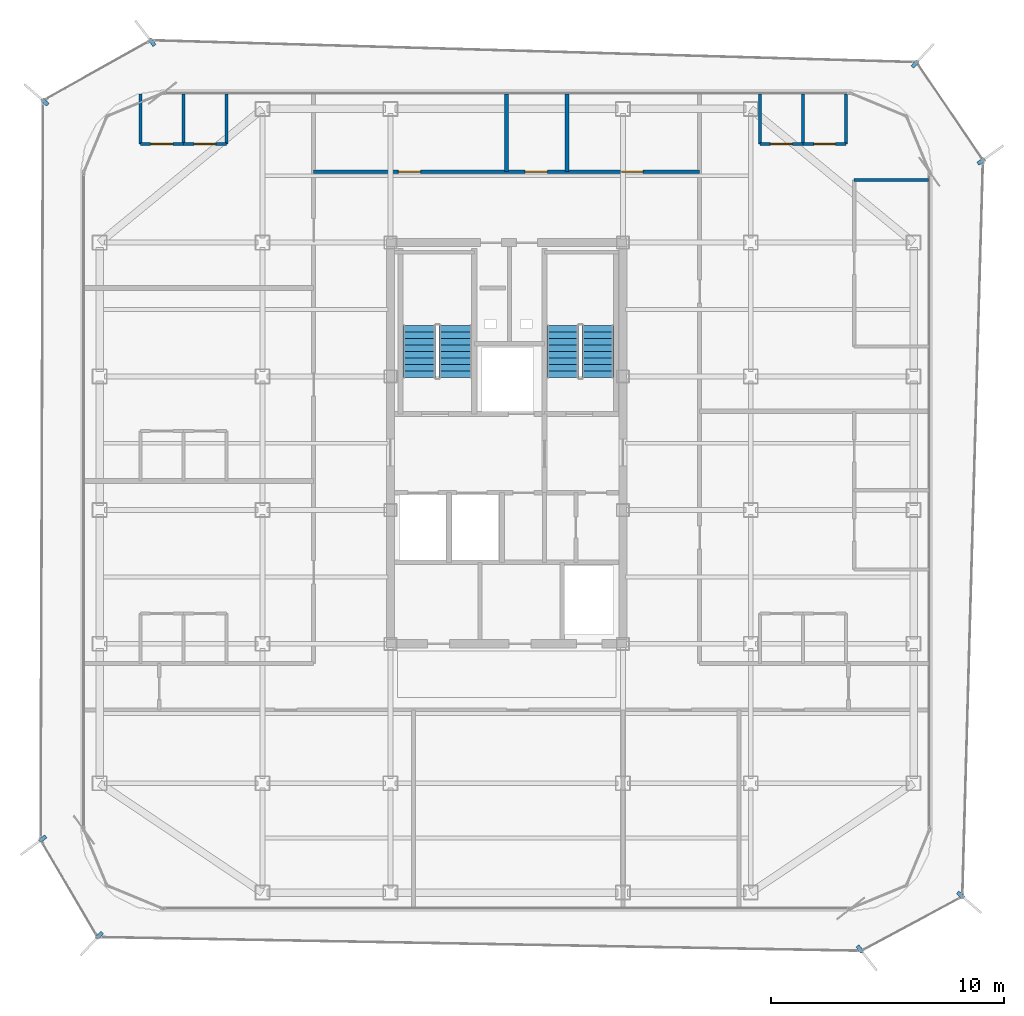
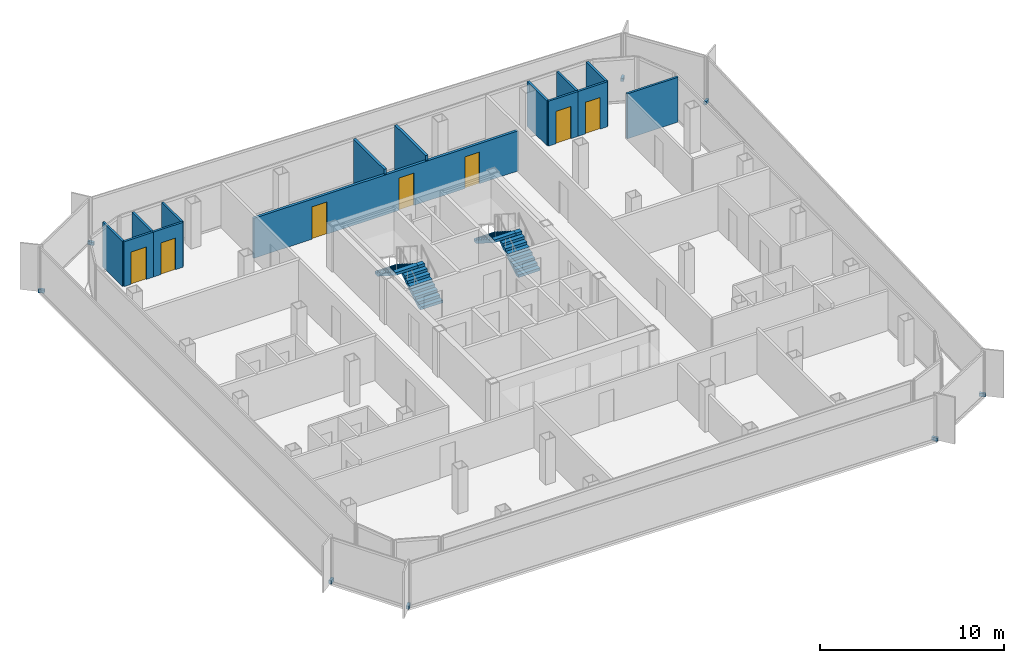
# One storey, part 12 of 14: 14 walls, 8 discrete accessories, 7 doors, 4 stair flights, 7 openings, 2 elements without a shape of their own.
"""IFC4 building model written with IfcOpenShell, lengths in metres."""

import ifcopenshell
import ifcopenshell.guid

model = None  # the IFC model being written
_history = None  # IfcOwnerHistory: only IFC2X3 demands one
_inside = {}  # id of a spatial element -> (the spatial element, [elements in it])
_under = {}  # id of a project, library or spatial element -> (it, [spatial elements below it])
_declared = {}  # id of a project -> (the project, [libraries it declares])
_typed = {}  # id of a type object -> (the type object, [elements of that type])
_made_of = {}  # id of a material, layer set ... -> (it, [elements and type objects made of it])


def new_model(schema):
    """Start an empty IFC model of exactly this schema.

    Asked for "IFC4X3", IfcOpenShell would pick the latest addendum, in which some entities
    have other attributes; the version numbers below select the first issue.
    IFC2X3 requires an IfcOwnerHistory on every rooted entity: one is made here for all.
    """
    global model, _history
    if schema == "IFC4X3":
        model = ifcopenshell.file(schema_version=(4, 3, 0, 0))
    else:
        model = ifcopenshell.file(schema=schema)
    _inside.clear()
    _under.clear()
    _declared.clear()
    _typed.clear()
    _made_of.clear()
    _history = None
    if model.schema == "IFC2X3":
        org = make("IfcOrganization", Name="unknown")
        user = make(
            "IfcPersonAndOrganization",
            ThePerson=make("IfcPerson", FamilyName="unknown"),
            TheOrganization=org,
        )
        app = make(
            "IfcApplication",
            ApplicationDeveloper=org,
            Version="unknown",
            ApplicationFullName="unknown",
            ApplicationIdentifier="unknown",
        )
        _history = make(
            "IfcOwnerHistory",
            OwningUser=user,
            OwningApplication=app,
            ChangeAction="ADDED",
            CreationDate=0,
        )
    return model


def make(cls, **values):
    """One entity of the class cls with the attributes given. An attribute that is None is left unset."""
    return model.create_entity(
        cls, **{name: value for name, value in values.items() if value is not None}
    )


def rooted(cls, **values):
    """An entity with a GlobalId (a new one), such as an element, a storey or a relation."""
    return make(cls, GlobalId=ifcopenshell.guid.new(), OwnerHistory=_history, **values)


def si_unit(unit_type, name, prefix=None):
    """IfcSIUnit, for example si_unit("LENGTHUNIT", "METRE", prefix="MILLI")."""
    return make("IfcSIUnit", UnitType=unit_type, Prefix=prefix, Name=name)


def assignment(units):
    """IfcUnitAssignment: the units of a project."""
    return None if units is None else make("IfcUnitAssignment", Units=units)


def point(xyz):
    """IfcCartesianPoint."""
    return None if xyz is None else make("IfcCartesianPoint", Coordinates=xyz)


def direction(xyz):
    """IfcDirection."""
    return None if xyz is None else make("IfcDirection", DirectionRatios=xyz)


def frame(location, z_axis=None, x_axis=None):
    """IfcAxis2Placement3D, a coordinate frame: its origin and axes. An axis left out is left unset."""
    return make(
        "IfcAxis2Placement3D",
        Location=point(location),
        Axis=direction(z_axis),
        RefDirection=direction(x_axis),
    )


def frame_2d(location, x_axis=None):
    """IfcAxis2Placement2D, a coordinate frame in the plane: its origin and x axis."""
    return make(
        "IfcAxis2Placement2D", Location=point(location), RefDirection=direction(x_axis)
    )


def origin():
    """The frame at (0, 0, 0) with its axes left unset."""
    return frame((0.0, 0.0, 0.0))


def origin_2d():
    """The frame at (0, 0) in the plane with its x axis left unset."""
    return frame_2d((0.0, 0.0))


def place(relative_to, where):
    """IfcLocalPlacement: puts the frame where relative to a parent placement (None: the world)."""
    return make(
        "IfcLocalPlacement", PlacementRelTo=relative_to, RelativePlacement=where
    )


def context(
    kind, dimensions, precision=None, world=None, true_north=None, identifier=None
):
    """IfcGeometricRepresentationContext, for example the 3D "Model" context."""
    return make(
        "IfcGeometricRepresentationContext",
        ContextIdentifier=identifier,
        ContextType=kind,
        CoordinateSpaceDimension=dimensions,
        Precision=precision,
        WorldCoordinateSystem=world,
        TrueNorth=true_north,
    )


def subcontext(parent, identifier, kind, view, scale=None):
    """IfcGeometricRepresentationSubContext, for example "Body" below "Model"."""
    return make(
        "IfcGeometricRepresentationSubContext",
        ContextIdentifier=identifier,
        ContextType=kind,
        ParentContext=parent,
        TargetScale=scale,
        TargetView=view,
    )


def project(units=None, contexts=None):
    """IfcProject with its units and contexts."""
    return rooted(
        "IfcProject",
        Name="project",
        RepresentationContexts=contexts,
        UnitsInContext=assignment(units),
    )


def spatial(cls, under=None, at=None, **own):
    """A site, building, storey or space (cls), placed at a placement, below another one or the project."""
    s = rooted(cls, ObjectPlacement=at, **own)
    if under is not None:
        _under.setdefault(under.id(), (under, []))[1].append(s)
    return s


def polyline(points):
    """IfcPolyline through the points."""
    return make("IfcPolyline", Points=[point(p) for p in points])


def profile(cls, at=None, kind="AREA", **sizes):
    """A parametric profile (cls). Its sizes go by their IFC names, for example OverallWidth=200.0."""
    return make(cls, ProfileType=kind, Position=at, **sizes)


def rectangle(**sizes):
    """IfcRectangleProfileDef."""
    return profile("IfcRectangleProfileDef", **sizes)


def outline(outer, holes=None, kind="AREA"):
    """IfcArbitraryClosedProfileDef: a profile drawn as a closed curve; with holes, ...WithVoids."""
    if holes is None:
        return make("IfcArbitraryClosedProfileDef", ProfileType=kind, OuterCurve=outer)
    return make(
        "IfcArbitraryProfileDefWithVoids",
        ProfileType=kind,
        OuterCurve=outer,
        InnerCurves=holes,
    )


def extrude(swept, where, along, depth):
    """IfcExtrudedAreaSolid: the profile swept, set in the frame where, extruded along a direction by depth."""
    return make(
        "IfcExtrudedAreaSolid",
        SweptArea=swept,
        Position=where,
        ExtrudedDirection=direction(along),
        Depth=depth,
    )


def shape(context_of_items, identifier, shape_type, items):
    """IfcShapeRepresentation: the items that make up one representation, for example the "Body"."""
    return make(
        "IfcShapeRepresentation",
        ContextOfItems=context_of_items,
        RepresentationIdentifier=identifier,
        RepresentationType=shape_type,
        Items=items,
    )


def source(mapping_origin, context_of_items, identifier, shape_type, items):
    """IfcRepresentationMap: a shape defined once, which mapped items show again and again."""
    return make(
        "IfcRepresentationMap",
        MappingOrigin=mapping_origin,
        MappedRepresentation=shape(context_of_items, identifier, shape_type, items),
    )


def transform(
    local_origin,
    x_axis=None,
    y_axis=None,
    z_axis=None,
    scale=None,
    scale2=None,
    scale3=None,
    uniform=True,
):
    """IfcCartesianTransformationOperator3D, or its non-uniform kind. x_axis, y_axis, z_axis: its Axis1, 2, 3."""
    if uniform:
        return make(
            "IfcCartesianTransformationOperator3D",
            Axis1=direction(x_axis),
            Axis2=direction(y_axis),
            LocalOrigin=point(local_origin),
            Scale=scale,
            Axis3=direction(z_axis),
        )
    return make(
        "IfcCartesianTransformationOperator3DnonUniform",
        Axis1=direction(x_axis),
        Axis2=direction(y_axis),
        LocalOrigin=point(local_origin),
        Scale=scale,
        Axis3=direction(z_axis),
        Scale2=scale2,
        Scale3=scale3,
    )


def mapped(mapping_source, mapping_target):
    """IfcMappedItem: shows the shape of a source again, moved by a transform."""
    return make(
        "IfcMappedItem", MappingSource=mapping_source, MappingTarget=mapping_target
    )


def material(Name=None, Category=None):
    """IfcMaterial."""
    return make("IfcMaterial", Name=Name, Category=Category)


def layer(
    of_material, thickness, ventilated=None, Name=None, Category=None, Priority=None
):
    """IfcMaterialLayer: one layer of a wall or slab, of a material (None: an air gap)."""
    return make(
        "IfcMaterialLayer",
        Material=of_material,
        LayerThickness=thickness,
        IsVentilated=ventilated,
        Name=Name,
        Category=Category,
        Priority=Priority,
    )


def layer_set(layers, Name=None):
    """IfcMaterialLayerSet."""
    return make("IfcMaterialLayerSet", MaterialLayers=layers, LayerSetName=Name)


def made_of(thing, what):
    """Note that an element or type object is made of a material, layer set ...; save() writes the relation."""
    if what is not None:
        _made_of.setdefault(what.id(), (what, []))[1].append(thing)
    return thing


def type_object(cls, material=None, **own):
    """A type object (cls), such as IfcWallType, which elements share."""
    return made_of(rooted(cls, **own), material)


def element(
    cls,
    number,
    at=None,
    inside=None,
    cuts=None,
    type_object=None,
    material=None,
    context=None,
    identifier="Body",
    shape_type=None,
    held_by="IfcProductDefinitionShape",
    body=None,
    shapes=None,
    **own,
):
    """One element of the class cls, such as IfcWall. Its Tag is "e" and its number.

    at: its placement. inside: the storey or other place that contains it. cuts: it is an
    opening in that element (IfcRelVoidsElement). A single representation is given by context,
    identifier, shape_type and body (its items); several are given by shapes. held_by: the class
    of the entity that holds the representations. save() writes the other relations.
    """
    e = rooted(cls, Tag="e%d" % number, ObjectPlacement=at, **own)
    if body is not None:
        shapes = [shape(context, identifier, shape_type, body)]
    if shapes is not None:
        e.Representation = make(held_by, Representations=shapes)
    if inside is not None:
        _inside.setdefault(inside.id(), (inside, []))[1].append(e)
    if cuts is not None:
        rooted(
            "IfcRelVoidsElement", RelatingBuildingElement=cuts, RelatedOpeningElement=e
        )
    if type_object is not None:
        _typed.setdefault(type_object.id(), (type_object, []))[1].append(e)
    return made_of(e, material)


def fill(opening, filler):
    """IfcRelFillsElement: the door or window that sits in an opening."""
    return rooted(
        "IfcRelFillsElement",
        RelatingOpeningElement=opening,
        RelatedBuildingElement=filler,
    )


def aggregate(whole, parts):
    """IfcRelAggregates: a whole, such as a stair, and the parts it consists of."""
    return rooted("IfcRelAggregates", RelatingObject=whole, RelatedObjects=parts)


def save(model, path):
    """Write the relations noted so far, then the file.

    IfcRelAggregates (storeys below a building ...), IfcRelContainedInSpatialStructure (elements
    in a storey), IfcRelDefinesByType, IfcRelAssociatesMaterial and IfcRelDeclares: one each for
    every whole, place, type object, material and project.
    """
    for whole, parts in _under.values():
        aggregate(whole, parts)
    for where, things in _inside.values():
        rooted(
            "IfcRelContainedInSpatialStructure",
            RelatedElements=things,
            RelatingStructure=where,
        )
    for kind, things in _typed.values():
        rooted("IfcRelDefinesByType", RelatedObjects=things, RelatingType=kind)
    for what, things in _made_of.values():
        rooted("IfcRelAssociatesMaterial", RelatedObjects=things, RelatingMaterial=what)
    for by, libraries in _declared.values():
        rooted("IfcRelDeclares", RelatingContext=by, RelatedDefinitions=libraries)
    model.write(path)


model = new_model("IFC4")

# Units and contexts
model_context = context("Model", 3, precision=1e-05, world=origin(), true_north=direction((0.0, 1.0)))
body_context = subcontext(model_context, "Body", "Model", "MODEL_VIEW")
ifc_project = project(units=[si_unit("LENGTHUNIT", "METRE"), si_unit("AREAUNIT", "SQUARE_METRE"), si_unit("VOLUMEUNIT", "CUBIC_METRE"), si_unit("PLANEANGLEUNIT", "RADIAN"), si_unit("MASSUNIT", "GRAM", prefix="KILO")], contexts=[model_context])

# Site, building, storey
site_placement = place(None, origin())
site = spatial("IfcSite", under=ifc_project, at=site_placement, CompositionType="ELEMENT")
building_placement = place(site_placement, origin())
building = spatial("IfcBuilding", under=site, at=building_placement, Name="Kolveth Station Tower", CompositionType="ELEMENT")
storey_placement = place(building_placement, frame((0.0, 0.0, 226.5)))
storey = spatial("IfcBuildingStorey", under=building, at=storey_placement, Name="L64", CompositionType="ELEMENT", Elevation=226.5)

# Wall, opening, door
ifc_material_1 = material(Name="Moisture-resistant gypsum partition")
ifc_layer_1 = layer(ifc_material_1, 0.135009765625)
ifc_layer_set_1 = layer_set([ifc_layer_1], Name="Moisture-resistant gypsum partition")
wall_type_1 = type_object("IfcWallType", Name="Wall_IW-135", PredefinedType="PARTITIONING", material=ifc_layer_set_1)
wall_1_placement = place(storey_placement, frame((7.75, 32.989990234375, 0.0), z_axis=(0.0, 0.0, 1.0), x_axis=(1.0, 0.0, 0.0)))
wall_1 = element("IfcWall", 1, at=wall_1_placement, inside=storey, type_object=wall_type_1, Name="L64 Partition Wall WL-L64-W3-IBHK", PredefinedType="PARTITIONING", context=body_context, shape_type="SweptSolid", body=[
    extrude(rectangle(XDim=1.85009765625, YDim=0.135009765625, at=frame_2d((0.925048828125, 0.0))), origin(), (0.0, 0.0, 1.0), 2.97998046875),
])
opening_1_placement = place(wall_1_placement, frame((0.445068359375, 0.0, 0.0)))
opening_1 = element("IfcOpeningElement", 2, at=opening_1_placement, cuts=wall_1, Name="Opening ID1", PredefinedType="OPENING", context=body_context, shape_type="SweptSolid", body=[
    extrude(rectangle(XDim=0.949951171875, YDim=2.14990234375, at=frame_2d((0.47509765625, 1.074951171875))), frame((0.0, 0.077392578125, 0.0), z_axis=(0.0, -1.0, 0.0), x_axis=(1.0, 0.0, 0.0)), (0.0, 0.0, 1.0), 0.155029296875),
])
ifc_material_2 = material(Name="Acoustic hardwood leaf and aluminium frame", Category="wood")
door_type_1 = type_object("IfcDoorType", Name="Door_ID1", OperationType="NOTDEFINED", PredefinedType="DOOR", material=ifc_material_2)
door_1_placement = place(opening_1_placement, frame((0.949951171875, 0.0, 0.0), z_axis=(0.0, 0.0, 1.0), x_axis=(-1.0, 0.0, 0.0)))
door_1 = element("IfcDoor", 3, at=door_1_placement, inside=storey, type_object=door_type_1, Name="Flat L64-W3 Kitchen Door", OperationType="SINGLE_SWING_LEFT", OverallHeight=2.14990234375, OverallWidth=0.949951171875, PredefinedType="DOOR", context=body_context, shape_type="SweptSolid", body=[
    extrude(rectangle(XDim=0.949951171875, YDim=2.14990234375, at=frame_2d((0.47509765625, 1.074951171875))), frame((0.0, 0.02490234375, 0.0), z_axis=(0.0, -1.0, 0.0), x_axis=(1.0, 0.0, 0.0)), (0.0, 0.0, 1.0), 0.050048828125),
])
fill(opening_1, door_1)

wall_2_placement = place(storey_placement, frame((9.60009765625, 32.989990234375, 0.0), z_axis=(0.0, 0.0, 1.0), x_axis=(1.0, 0.0, 0.0)))
wall_2 = element("IfcWall", 4, at=wall_2_placement, inside=storey, type_object=wall_type_1, Name="L64 Partition Wall WL-L64-W3-IBHB", PredefinedType="PARTITIONING", context=body_context, shape_type="SweptSolid", body=[
    extrude(rectangle(XDim=1.849853515625, YDim=0.135009765625, at=frame_2d((0.9248046875, 0.0))), origin(), (0.0, 0.0, 1.0), 2.97998046875),
])
opening_2_placement = place(wall_2_placement, frame((0.465087890625, 0.0, 0.0)))
opening_2 = element("IfcOpeningElement", 5, at=opening_2_placement, cuts=wall_2, Name="Opening ID2", PredefinedType="OPENING", context=body_context, shape_type="SweptSolid", body=[
    extrude(rectangle(XDim=0.919921875, YDim=2.10009765625, at=frame_2d((0.4599609375, 1.050048828125))), frame((0.0, 0.077392578125, 0.0), z_axis=(0.0, -1.0, 0.0), x_axis=(1.0, 0.0, 0.0)), (0.0, 0.0, 1.0), 0.155029296875),
])
ifc_material_3 = material(Name="Moisture-resistant hardwood leaf", Category="wood")
door_type_2 = type_object("IfcDoorType", Name="Door_ID2", OperationType="NOTDEFINED", PredefinedType="DOOR", material=ifc_material_3)
door_2_placement = place(opening_2_placement, frame((0.919921875, 0.0, 0.0), z_axis=(0.0, 0.0, 1.0), x_axis=(-1.0, 0.0, 0.0)))
door_2 = element("IfcDoor", 6, at=door_2_placement, inside=storey, type_object=door_type_2, Name="Flat L64-W3 Bathroom Door", OperationType="SINGLE_SWING_LEFT", OverallHeight=2.10009765625, OverallWidth=0.919921875, PredefinedType="DOOR", context=body_context, shape_type="SweptSolid", body=[
    extrude(rectangle(XDim=0.919921875, YDim=2.10009765625, at=frame_2d((0.4599609375, 1.050048828125))), frame((0.0, 0.02490234375, 0.0), z_axis=(0.0, -1.0, 0.0), x_axis=(1.0, 0.0, 0.0)), (0.0, 0.0, 1.0), 0.050048828125),
])
fill(opening_2, door_2)

# Walls
for number, where, z_axis, x_axis, name in (
    (7, (7.75, 32.989990234375, 0.0), (0.0, 0.0, 1.0), (0.0, 1.0, 0.0), "L64 Partition Wall WL-L64-W3-IBV0"),
    (8, (9.60009765625, 32.989990234375, 0.0), (0.0, 0.0, 1.0), (0.0, 1.0, 0.0), "L64 Partition Wall WL-L64-W3-IBV1"),
    (9, (11.449951171875, 32.989990234375, 0.0), (0.0, 0.0, 1.0), (0.0, 1.0, 0.0), "L64 Partition Wall WL-L64-W3-IBV2"),
):
    element("IfcWall", number, at=place(storey_placement, frame(where, z_axis=z_axis, x_axis=x_axis)), inside=storey, type_object=wall_type_1, Name=name, PredefinedType="PARTITIONING", context=body_context, shape_type="SweptSolid", body=[
        extrude(rectangle(XDim=2.14990234375, YDim=0.135009765625, at=frame_2d((1.074951171875, 0.0))), origin(), (0.0, 0.0, 1.0), 2.97998046875),
    ])

# Wall, opening, door
wall_3_placement = place(storey_placement, frame((34.39990234375, 32.989990234375, 0.0), z_axis=(0.0, 0.0, 1.0), x_axis=(1.0, 0.0, 0.0)))
wall_3 = element("IfcWall", 10, at=wall_3_placement, inside=storey, type_object=wall_type_1, Name="L64 Partition Wall WL-L64-E2-IBHK", PredefinedType="PARTITIONING", context=body_context, shape_type="SweptSolid", body=[
    extrude(rectangle(XDim=1.85009765625, YDim=0.135009765625, at=frame_2d((0.925048828125, 0.0))), origin(), (0.0, 0.0, 1.0), 2.97998046875),
])
opening_3_placement = place(wall_3_placement, frame((0.445068359375, 0.0, 0.0)))
opening_3 = element("IfcOpeningElement", 11, at=opening_3_placement, cuts=wall_3, Name="Opening ID1", PredefinedType="OPENING", context=body_context, shape_type="SweptSolid", body=[
    extrude(rectangle(XDim=0.949951171875, YDim=2.14990234375, at=frame_2d((0.47509765625, 1.074951171875))), frame((0.0, 0.077392578125, 0.0), z_axis=(0.0, -1.0, 0.0), x_axis=(1.0, 0.0, 0.0)), (0.0, 0.0, 1.0), 0.155029296875),
])
door_3_placement = place(opening_3_placement, frame((0.949951171875, 0.0, 0.0), z_axis=(0.0, 0.0, 1.0), x_axis=(-1.0, 0.0, 0.0)))
door_3 = element("IfcDoor", 12, at=door_3_placement, inside=storey, type_object=door_type_1, Name="Penthouse Flat L64-E2 Kitchen Door", OperationType="SINGLE_SWING_RIGHT", OverallHeight=2.14990234375, OverallWidth=0.949951171875, PredefinedType="DOOR", context=body_context, shape_type="SweptSolid", body=[
    extrude(rectangle(XDim=0.949951171875, YDim=2.14990234375, at=frame_2d((0.47509765625, 1.074951171875))), frame((0.0, 0.02490234375, 0.0), z_axis=(0.0, -1.0, 0.0), x_axis=(1.0, 0.0, 0.0)), (0.0, 0.0, 1.0), 0.050048828125),
])
fill(opening_3, door_3)

wall_4_placement = place(storey_placement, frame((36.25, 32.989990234375, 0.0), z_axis=(0.0, 0.0, 1.0), x_axis=(1.0, 0.0, 0.0)))
wall_4 = element("IfcWall", 13, at=wall_4_placement, inside=storey, type_object=wall_type_1, Name="L64 Partition Wall WL-L64-E2-IBHB", PredefinedType="PARTITIONING", context=body_context, shape_type="SweptSolid", body=[
    extrude(rectangle(XDim=1.85009765625, YDim=0.135009765625, at=frame_2d((0.925048828125, 0.0))), origin(), (0.0, 0.0, 1.0), 2.97998046875),
])
opening_4_placement = place(wall_4_placement, frame((0.465087890625, 0.0, 0.0)))
opening_4 = element("IfcOpeningElement", 14, at=opening_4_placement, cuts=wall_4, Name="Opening ID2", PredefinedType="OPENING", context=body_context, shape_type="SweptSolid", body=[
    extrude(rectangle(XDim=0.919921875, YDim=2.10009765625, at=frame_2d((0.4599609375, 1.050048828125))), frame((0.0, 0.077392578125, 0.0), z_axis=(0.0, -1.0, 0.0), x_axis=(1.0, 0.0, 0.0)), (0.0, 0.0, 1.0), 0.155029296875),
])
door_4_placement = place(opening_4_placement, frame((0.919921875, 0.0, 0.0), z_axis=(0.0, 0.0, 1.0), x_axis=(-1.0, 0.0, 0.0)))
door_4 = element("IfcDoor", 15, at=door_4_placement, inside=storey, type_object=door_type_2, Name="Penthouse Flat L64-E2 Bathroom Door", OperationType="SINGLE_SWING_LEFT", OverallHeight=2.10009765625, OverallWidth=0.919921875, PredefinedType="DOOR", context=body_context, shape_type="SweptSolid", body=[
    extrude(rectangle(XDim=0.919921875, YDim=2.10009765625, at=frame_2d((0.4599609375, 1.050048828125))), frame((0.0, 0.02490234375, 0.0), z_axis=(0.0, -1.0, 0.0), x_axis=(1.0, 0.0, 0.0)), (0.0, 0.0, 1.0), 0.050048828125),
])
fill(opening_4, door_4)

# Walls
for number, where, z_axis, x_axis, name in (
    (16, (34.39990234375, 32.989990234375, 0.0), (0.0, 0.0, 1.0), (0.0, 1.0, 0.0), "L64 Partition Wall WL-L64-E2-IBV0"),
    (17, (36.25, 32.989990234375, 0.0), (0.0, 0.0, 1.0), (0.0, 1.0, 0.0), "L64 Partition Wall WL-L64-E2-IBV1"),
    (18, (38.10009765625, 32.989990234375, 0.0), (0.0, 0.0, 1.0), (0.0, 1.0, 0.0), "L64 Partition Wall WL-L64-E2-IBV2"),
):
    element("IfcWall", number, at=place(storey_placement, frame(where, z_axis=z_axis, x_axis=x_axis)), inside=storey, type_object=wall_type_1, Name=name, PredefinedType="PARTITIONING", context=body_context, shape_type="SweptSolid", body=[
        extrude(rectangle(XDim=2.14990234375, YDim=0.135009765625, at=frame_2d((1.074951171875, 0.0))), origin(), (0.0, 0.0, 1.0), 2.97998046875),
    ])
wall_5_placement = place(storey_placement, frame((38.449951171875, 31.449951171875, 0.0), z_axis=(0.0, 0.0, 1.0), x_axis=(1.0, 0.0, 0.0)))
element("IfcWall", 19, at=wall_5_placement, inside=storey, type_object=wall_type_1, Name="L64 Partition Wall WL-L64-E2-BDHE", PredefinedType="PARTITIONING", context=body_context, shape_type="SweptSolid", body=[
    extrude(rectangle(XDim=3.18994140625, YDim=0.135009765625, at=frame_2d((1.594970703125, 0.0))), origin(), (0.0, 0.0, 1.0), 2.97998046875),
])

# Wall, openings, doors
ifc_material_4 = material(Name="Acoustic double-stud gypsum partition")
ifc_layer_2 = layer(ifc_material_4, 0.1650390625)
ifc_layer_set_2 = layer_set([ifc_layer_2], Name="Acoustic double-stud gypsum partition")
wall_type_2 = type_object("IfcWallType", Name="Wall_IW-165", PredefinedType="PARTITIONING", material=ifc_layer_set_2)
wall_6_placement = place(storey_placement, frame((15.199951171875, 31.800048828125, 0.0), z_axis=(0.0, 0.0, 1.0), x_axis=(1.0, 0.0, 0.0)))
wall_6 = element("IfcWall", 20, at=wall_6_placement, inside=storey, type_object=wall_type_2, Name="L64 Partition Wall WL-L64-RN", PredefinedType="PARTITIONING", context=body_context, shape_type="SweptSolid", body=[
    extrude(rectangle(XDim=16.60009765625, YDim=0.1650390625, at=frame_2d((8.300048828125, 0.0))), origin(), (0.0, 0.0, 1.0), 2.655029296875),
])
opening_5_placement = place(wall_6_placement, frame((3.64990234375, 0.0, 0.0)))
opening_5 = element("IfcOpeningElement", 21, at=opening_5_placement, cuts=wall_6, Name="Opening ID1", PredefinedType="OPENING", context=body_context, shape_type="SweptSolid", body=[
    extrude(rectangle(XDim=0.949951171875, YDim=2.14990234375, at=frame_2d((0.47509765625, 1.074951171875))), frame((0.0, 0.092529296875, 0.0), z_axis=(0.0, -1.0, 0.0), x_axis=(1.0, 0.0, 0.0)), (0.0, 0.0, 1.0), 0.18505859375),
])
opening_6_placement = place(wall_6_placement, frame((9.10009765625, 0.0, 0.0)))
opening_6 = element("IfcOpeningElement", 22, at=opening_6_placement, cuts=wall_6, Name="Opening ID1", PredefinedType="OPENING", context=body_context, shape_type="SweptSolid", body=[
    extrude(rectangle(XDim=0.949951171875, YDim=2.14990234375, at=frame_2d((0.47509765625, 1.074951171875))), frame((0.0, 0.092529296875, 0.0), z_axis=(0.0, -1.0, 0.0), x_axis=(1.0, 0.0, 0.0)), (0.0, 0.0, 1.0), 0.18505859375),
])
opening_7_placement = place(wall_6_placement, frame((13.25, 0.0, 0.0)))
opening_7 = element("IfcOpeningElement", 23, at=opening_7_placement, cuts=wall_6, Name="Opening ID2", PredefinedType="OPENING", context=body_context, shape_type="SweptSolid", body=[
    extrude(rectangle(XDim=0.919921875, YDim=2.10009765625, at=frame_2d((0.4599609375, 1.050048828125))), frame((0.0, 0.092529296875, 0.0), z_axis=(0.0, -1.0, 0.0), x_axis=(1.0, 0.0, 0.0)), (0.0, 0.0, 1.0), 0.18505859375),
])
door_5_placement = place(opening_5_placement, origin())
door_5 = element("IfcDoor", 24, at=door_5_placement, inside=storey, type_object=door_type_1, Name="L64 Residents' Sky Lounge Door", OperationType="SINGLE_SWING_RIGHT", OverallHeight=2.14990234375, OverallWidth=0.949951171875, PredefinedType="DOOR", context=body_context, shape_type="SweptSolid", body=[
    extrude(rectangle(XDim=0.949951171875, YDim=2.14990234375, at=frame_2d((0.47509765625, 1.074951171875))), frame((0.0, 0.02490234375, 0.0), z_axis=(0.0, -1.0, 0.0), x_axis=(1.0, 0.0, 0.0)), (0.0, 0.0, 1.0), 0.050048828125),
])
fill(opening_5, door_5)
door_6_placement = place(opening_6_placement, origin())
door_6 = element("IfcDoor", 25, at=door_6_placement, inside=storey, type_object=door_type_1, Name="L64 Residents' Committee Room Door", OperationType="SINGLE_SWING_LEFT", OverallHeight=2.14990234375, OverallWidth=0.949951171875, PredefinedType="DOOR", context=body_context, shape_type="SweptSolid", body=[
    extrude(rectangle(XDim=0.949951171875, YDim=2.14990234375, at=frame_2d((0.47509765625, 1.074951171875))), frame((0.0, 0.02490234375, 0.0), z_axis=(0.0, -1.0, 0.0), x_axis=(1.0, 0.0, 0.0)), (0.0, 0.0, 1.0), 0.050048828125),
])
fill(opening_6, door_6)
door_7_placement = place(opening_7_placement, origin())
door_7 = element("IfcDoor", 26, at=door_7_placement, inside=storey, type_object=door_type_2, Name="L64 Accessible Residents' WC Door", OperationType="SINGLE_SWING_RIGHT", OverallHeight=2.10009765625, OverallWidth=0.919921875, PredefinedType="DOOR", context=body_context, shape_type="SweptSolid", body=[
    extrude(rectangle(XDim=0.919921875, YDim=2.10009765625, at=frame_2d((0.4599609375, 1.050048828125))), frame((0.0, 0.02490234375, 0.0), z_axis=(0.0, -1.0, 0.0), x_axis=(1.0, 0.0, 0.0)), (0.0, 0.0, 1.0), 0.050048828125),
])
fill(opening_7, door_7)

# Walls
for number, where, z_axis, x_axis, name in (
    (27, (23.5, 31.800048828125, 0.0), (0.0, 0.0, 1.0), (0.0, 1.0, 0.0), "L64 Partition Wall WL-L64-RN-P1"),
    (28, (26.10009765625, 31.800048828125, 0.0), (0.0, 0.0, 1.0), (0.0, 1.0, 0.0), "L64 Partition Wall WL-L64-RN-P2"),
):
    element("IfcWall", number, at=place(storey_placement, frame(where, z_axis=z_axis, x_axis=x_axis)), inside=storey, type_object=wall_type_2, Name=name, PredefinedType="PARTITIONING", context=body_context, shape_type="SweptSolid", body=[
        extrude(rectangle(XDim=3.33984375, YDim=0.1650390625, at=frame_2d((1.669921875, 0.0))), origin(), (0.0, 0.0, 1.0), 2.97998046875),
    ])

# Stair, stair flights
ifc_material_5 = material(Name="Concrete C40/50", Category="concrete")
stair_type_1 = type_object("IfcStairType", Name="Stair_ST1", PredefinedType="HALF_TURN_STAIR", material=ifc_material_5)
stair_1_placement = place(storey_placement, origin())
stair_1 = element("IfcStair", 29, at=stair_1_placement, inside=storey, type_object=stair_type_1, Name="L64 Tower Exit Stair ST1", PredefinedType="HALF_TURN_STAIR")
ifc_layer_3 = layer(ifc_material_5, 0.179931640625)
ifc_layer_set_3 = layer_set([ifc_layer_3], Name="Concrete C40/50")
stair_flight_type_1 = type_object("IfcStairFlightType", Name="Flight_ST1", PredefinedType="STRAIGHT", material=ifc_layer_set_3)
stair_flight_1_placement = place(storey_placement, frame((21.300048828125, 22.949951171875, 0.0), z_axis=(0.0, 0.0, 1.0), x_axis=(0.0, 1.0, 0.0)))
stair_flight_1 = element("IfcStairFlight", 30, at=stair_flight_1_placement, type_object=stair_flight_type_1, Name="ST1 flight 1", NumberOfRisers=9, NumberOfTreads=8, PredefinedType="STRAIGHT", RiserHeight=0.177777778, TreadLength=0.28, context=body_context, shape_type="SweptSolid", body=[
    extrude(outline(polyline([(0.0, 0.0), (0.0, 0.177734375), (0.280029296875, 0.177734375), (0.280029296875, 0.35546875), (0.56005859375, 0.35546875), (0.56005859375, 0.533447265625), (0.840087890625, 0.533447265625), (0.840087890625, 0.711181640625), (1.1201171875, 0.711181640625), (1.1201171875, 0.888916015625), (1.39990234375, 0.888916015625), (1.39990234375, 1.066650390625), (1.679931640625, 1.066650390625), (1.679931640625, 1.244384765625), (1.9599609375, 1.244384765625), (1.9599609375, 1.422119140625), (2.239990234375, 1.422119140625), (2.239990234375, 1.60009765625), (2.239990234375, 1.24462890625), (0.27978515625, 0.0), (0.0, 0.0)])), frame((0.0, 0.699951171875, 0.0), z_axis=(0.0, -1.0, 0.0), x_axis=(1.0, 0.0, 0.0)), (0.0, 0.0, 1.0), 1.39990234375),
])
stair_flight_2_placement = place(storey_placement, frame((19.739990234375, 25.18994140625, 1.60009765625), z_axis=(0.0, 0.0, 1.0), x_axis=(0.0, -1.0, 0.0)))
stair_flight_2 = element("IfcStairFlight", 31, at=stair_flight_2_placement, type_object=stair_flight_type_1, Name="ST1 flight 2", NumberOfRisers=9, NumberOfTreads=8, PredefinedType="STRAIGHT", RiserHeight=0.177777778, TreadLength=0.28, context=body_context, shape_type="SweptSolid", body=[
    extrude(outline(polyline([(0.0, 0.0), (0.0, 0.177734375), (0.280029296875, 0.177734375), (0.280029296875, 0.35546875), (0.56005859375, 0.35546875), (0.56005859375, 0.533447265625), (0.840087890625, 0.533447265625), (0.840087890625, 0.711181640625), (1.1201171875, 0.711181640625), (1.1201171875, 0.888916015625), (1.39990234375, 0.888916015625), (1.39990234375, 1.066650390625), (1.679931640625, 1.066650390625), (1.679931640625, 1.244384765625), (1.9599609375, 1.244384765625), (1.9599609375, 1.422119140625), (2.239990234375, 1.422119140625), (2.239990234375, 1.60009765625), (2.239990234375, 1.24462890625), (0.27978515625, 0.0), (0.0, 0.0)])), frame((0.0, 0.699951171875, 0.0), z_axis=(0.0, -1.0, 0.0), x_axis=(1.0, 0.0, 0.0)), (0.0, 0.0, 1.0), 1.39990234375),
])
aggregate(stair_1, [stair_flight_1, stair_flight_2])

stair_type_2 = type_object("IfcStairType", Name="Stair_ST2", PredefinedType="HALF_TURN_STAIR", material=ifc_material_5)
stair_2_placement = place(storey_placement, origin())
stair_2 = element("IfcStair", 32, at=stair_2_placement, inside=storey, type_object=stair_type_2, Name="L64 Tower Exit Stair ST2", PredefinedType="HALF_TURN_STAIR")
ifc_layer_4 = layer(ifc_material_5, 0.179931640625)
ifc_layer_set_4 = layer_set([ifc_layer_4], Name="Concrete C40/50")
stair_flight_type_2 = type_object("IfcStairFlightType", Name="Flight_ST2", PredefinedType="STRAIGHT", material=ifc_layer_set_4)
stair_flight_3_placement = place(storey_placement, frame((27.425048828125, 22.949951171875, 0.0), z_axis=(0.0, 0.0, 1.0), x_axis=(0.0, 1.0, 0.0)))
stair_flight_3 = element("IfcStairFlight", 33, at=stair_flight_3_placement, type_object=stair_flight_type_2, Name="ST2 flight 1", NumberOfRisers=9, NumberOfTreads=8, PredefinedType="STRAIGHT", RiserHeight=0.177777778, TreadLength=0.28, context=body_context, shape_type="SweptSolid", body=[
    extrude(outline(polyline([(0.0, 0.0), (0.0, 0.177734375), (0.280029296875, 0.177734375), (0.280029296875, 0.35546875), (0.56005859375, 0.35546875), (0.56005859375, 0.533447265625), (0.840087890625, 0.533447265625), (0.840087890625, 0.711181640625), (1.1201171875, 0.711181640625), (1.1201171875, 0.888916015625), (1.39990234375, 0.888916015625), (1.39990234375, 1.066650390625), (1.679931640625, 1.066650390625), (1.679931640625, 1.244384765625), (1.9599609375, 1.244384765625), (1.9599609375, 1.422119140625), (2.239990234375, 1.422119140625), (2.239990234375, 1.60009765625), (2.239990234375, 1.24462890625), (0.27978515625, 0.0), (0.0, 0.0)])), frame((0.0, 0.675048828125, 0.0), z_axis=(0.0, -1.0, 0.0), x_axis=(1.0, 0.0, 0.0)), (0.0, 0.0, 1.0), 1.35009765625),
])
stair_flight_4_placement = place(storey_placement, frame((25.9150390625, 25.18994140625, 1.60009765625), z_axis=(0.0, 0.0, 1.0), x_axis=(0.0, -1.0, 0.0)))
stair_flight_4 = element("IfcStairFlight", 34, at=stair_flight_4_placement, type_object=stair_flight_type_2, Name="ST2 flight 2", NumberOfRisers=9, NumberOfTreads=8, PredefinedType="STRAIGHT", RiserHeight=0.177777778, TreadLength=0.28, context=body_context, shape_type="SweptSolid", body=[
    extrude(outline(polyline([(0.0, 0.0), (0.0, 0.177734375), (0.280029296875, 0.177734375), (0.280029296875, 0.35546875), (0.56005859375, 0.35546875), (0.56005859375, 0.533447265625), (0.840087890625, 0.533447265625), (0.840087890625, 0.711181640625), (1.1201171875, 0.711181640625), (1.1201171875, 0.888916015625), (1.39990234375, 0.888916015625), (1.39990234375, 1.066650390625), (1.679931640625, 1.066650390625), (1.679931640625, 1.244384765625), (1.9599609375, 1.244384765625), (1.9599609375, 1.422119140625), (2.239990234375, 1.422119140625), (2.239990234375, 1.60009765625), (2.239990234375, 1.24462890625), (0.27978515625, 0.0), (0.0, 0.0)])), frame((0.0, 0.675048828125, 0.0), z_axis=(0.0, -1.0, 0.0), x_axis=(1.0, 0.0, 0.0)), (0.0, 0.0, 1.0), 1.35009765625),
])
aggregate(stair_2, [stair_flight_3, stair_flight_4])

# Discrete accessories
ifc_material_6 = material(Name="Steel S355", Category="steel")
discrete_accessory_type = type_object("IfcDiscreteAccessoryType", Name="Bracket_BK1", PredefinedType="BRACKET", material=ifc_material_6)
shared_shape = source(origin(), body_context, "Body", "SweptSolid", [
    extrude(rectangle(XDim=0.35009765625, YDim=0.159912109375, at=origin_2d()), origin(), (0.0, 0.0, 1.0), 0.219970703125),
])
for number, where, z_axis, x_axis, name in (
    (35, (38.695068359375, -1.62890625, -0.06005859375), (0.0, 0.0, 1.0), (0.61895687622, -0.785424971197, 0.0), "L64 Double-Skin Radial Tie Bracket 1"),
    (36, (43.028076171875, 0.694091796875, -0.06005859375), (0.0, 0.0, 1.0), (0.755052988457, -0.655663774065, 0.0), "L64 Double-Skin Radial Tie Bracket 2"),
    (37, (43.908935546875, 32.243896484375, -0.06005859375), (0.0, 0.0, 1.0), (0.813405448449, 0.581697151818, 0.0), "L64 Double-Skin Radial Tie Bracket 3"),
    (38, (41.06689453125, 36.43408203125, -0.06005859375), (0.0, 0.0, 1.0), (0.683018857343, 0.730400739673, 0.0), "L64 Double-Skin Radial Tie Bracket 4"),
    (39, (8.25, 37.368896484375, -0.06005859375), (0.0, 0.0, 1.0), (-0.611803192039, 0.791010021561, 0.0), "L64 Double-Skin Radial Tie Bracket 5"),
    (40, (3.64404296875, 34.794921875, -0.06005859375), (0.0, 0.0, 1.0), (-0.756881000713, 0.653552714599, 0.0), "L64 Double-Skin Radial Tie Bracket 6"),
    (41, (3.549072265625, 3.114013671875, -0.06005859375), (0.0, 0.0, 1.0), (-0.808195502996, -0.588914279787, 0.0), "L64 Double-Skin Radial Tie Bracket 7"),
    (42, (5.98388671875, -1.044921875, -0.06005859375), (0.0, 0.0, 1.0), (-0.683783356562, -0.729685083642, 0.0), "L64 Double-Skin Radial Tie Bracket 8"),
):
    element("IfcDiscreteAccessory", number, at=place(storey_placement, frame(where, z_axis=z_axis, x_axis=x_axis)), inside=storey, type_object=discrete_accessory_type, Name=name, PredefinedType="BRACKET", context=body_context, shape_type="MappedRepresentation", body=[
        mapped(shared_shape, transform((0.0, 0.0, 0.0), x_axis=(1.0, 0.0, 0.0), y_axis=(0.0, 1.0, 0.0), z_axis=(0.0, 0.0, 1.0), scale=1.0)),
    ])

save(model, "model.ifc")
